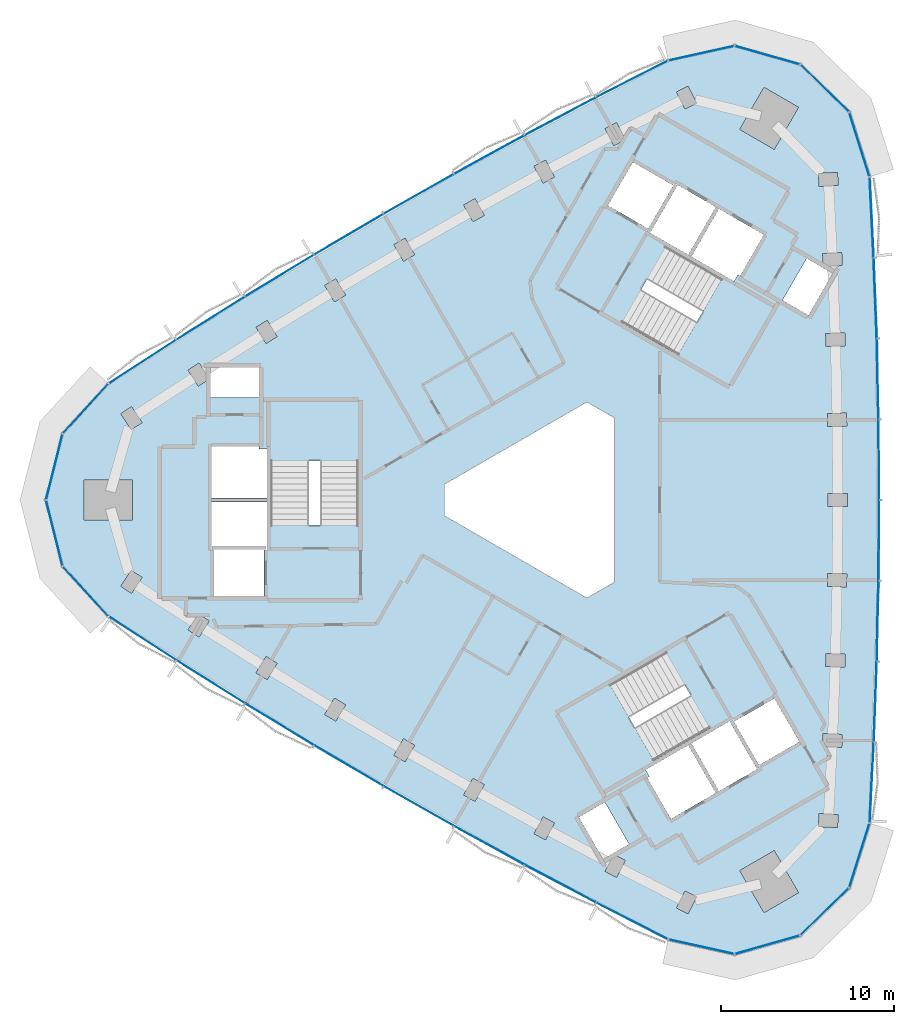
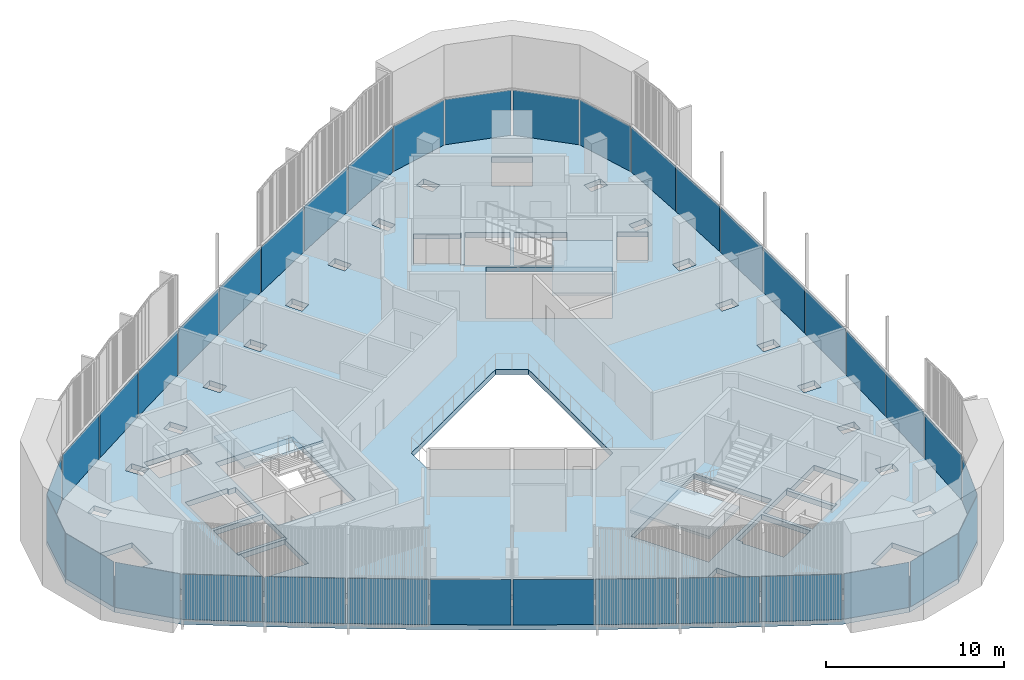
# One storey, part 7 of 16: 36 plates, 4 slabs, 6 elements without a shape of their own.
"""IFC4 building model written with IfcOpenShell, lengths in metres."""

from ifc_helpers import new_model, si_unit, direction, frame, origin, origin_2d, place, context, subcontext, project, spatial, polyline, rectangle, outline, extrude, material, layer, layer_set, type_object, element, aggregate, save


model = new_model("IFC4")

# Units and contexts
model_context = context("Model", 3, precision=1e-05, world=origin(), true_north=direction((0.0, 1.0)))
body_context = subcontext(model_context, "Body", "Model", "MODEL_VIEW")
ifc_project = project(units=[si_unit("LENGTHUNIT", "METRE"), si_unit("AREAUNIT", "SQUARE_METRE"), si_unit("VOLUMEUNIT", "CUBIC_METRE"), si_unit("PLANEANGLEUNIT", "RADIAN"), si_unit("MASSUNIT", "GRAM", prefix="KILO")], contexts=[model_context])

# Site, building, storey
site_placement = place(None, origin())
site = spatial("IfcSite", under=ifc_project, at=site_placement, CompositionType="ELEMENT")
building_placement = place(site_placement, origin())
building = spatial("IfcBuilding", under=site, at=building_placement, Name="Tamra Quay Hotel Tower", CompositionType="ELEMENT")
storey_placement = place(building_placement, frame((0.0, 0.0, 243.0)))
storey = spatial("IfcBuildingStorey", under=building, at=storey_placement, Name="L61", CompositionType="ELEMENT", Elevation=243.0)

# Stair, slab
ifc_material_1 = material(Name="Exit stair 2200 24 risers 150.0 going 342")
stair_type = type_object("IfcStairType", Name="Exit stair 2200 24 risers 150.0 going 342", PredefinedType="HALF_TURN_STAIR", material=ifc_material_1)
stair_1_placement = place(storey_placement, origin())
stair_1 = element("IfcStair", 1, at=stair_1_placement, inside=storey, type_object=stair_type, Name="L61 Exit stair ST3", PredefinedType="HALF_TURN_STAIR")
ifc_material_2 = material(Name="Concrete M70", Category="concrete")
ifc_layer_1 = layer(ifc_material_2, 0.175048828125)
ifc_layer_set_1 = layer_set([ifc_layer_1], Name="Concrete M70 stair landing 180")
slab_type_1 = type_object("IfcSlabType", Name="Concrete M70 stair landing 180", PredefinedType="LANDING", material=ifc_layer_set_1)
slab_1_placement = place(storey_placement, frame((0.0, 0.0, 1.625)))
slab_1 = element("IfcSlab", 2, at=slab_1_placement, type_object=slab_type_1, Name="ST3 landing 1", PredefinedType="LANDING", context=body_context, shape_type="SweptSolid", body=[
    extrude(outline(polyline([(-10.932373046875, 2.261962890625), (-10.932373046875, 5.679931640625), (-16.09130859375, 5.679931640625), (-16.09130859375, 2.261962890625), (-10.932373046875, 2.261962890625)])), origin(), (0.0, 0.0, 1.0), 0.175048828125),
])
aggregate(stair_1, [slab_1])

stair_2_placement = place(storey_placement, origin())
stair_2 = element("IfcStair", 3, at=stair_2_placement, inside=storey, type_object=stair_type, Name="L61 Exit stair ST1", PredefinedType="HALF_TURN_STAIR")
slab_2_placement = place(storey_placement, frame((0.0, 0.0, 1.625)))
slab_2 = element("IfcSlab", 4, at=slab_2_placement, type_object=slab_type_1, Name="ST1 landing 1", PredefinedType="LANDING", context=body_context, shape_type="SweptSolid", body=[
    extrude(outline(polyline([(7.425048828125, 8.336669921875), (10.385009765625, 6.627685546875), (12.964599609375, 11.095458984375), (10.00439453125, 12.804443359375), (7.425048828125, 8.336669921875)])), origin(), (0.0, 0.0, 1.0), 0.175048828125),
])
aggregate(stair_2, [slab_2])

stair_3_placement = place(storey_placement, origin())
stair_3 = element("IfcStair", 5, at=stair_3_placement, inside=storey, type_object=stair_type, Name="L61 Exit stair ST2", PredefinedType="HALF_TURN_STAIR")
slab_3_placement = place(storey_placement, frame((0.0, 0.0, 1.625)))
slab_3 = element("IfcSlab", 6, at=slab_3_placement, type_object=slab_type_1, Name="ST2 landing 1", PredefinedType="LANDING", context=body_context, shape_type="SweptSolid", body=[
    extrude(outline(polyline([(3.50732421875, -10.5986328125), (0.547119140625, -12.3076171875), (3.126708984375, -16.775390625), (6.086669921875, -15.06640625), (3.50732421875, -10.5986328125)])), origin(), (0.0, 0.0, 1.0), 0.175048828125),
])
aggregate(stair_3, [slab_3])

# Slab
ifc_material_3 = material(Name="Concrete M60", Category="concrete")
ifc_layer_2 = layer(ifc_material_3, 0.35009765625)
ifc_layer_set_2 = layer_set([ifc_layer_2], Name="FLOOR SLAB PT 350")
slab_type_2 = type_object("IfcSlabType", Name="FLOOR SLAB PT 350", PredefinedType="FLOOR", material=ifc_layer_set_2)
slab_4_placement = place(storey_placement, frame((0.0, 0.0, -0.35009765625)))
element("IfcSlab", 7, at=slab_4_placement, inside=storey, type_object=slab_type_2, Name="SLAB-L61", PredefinedType="FLOOR", context=body_context, shape_type="SweptSolid", body=[
    extrude(outline(polyline([(18.746826171875, 13.9765625), (18.918212890625, 9.31884765625), (19.020751953125, 4.66064453125), (19.05517578125, 0.0), (19.020751953125, -4.66064453125), (18.918212890625, -9.31884765625), (18.746826171875, -13.9765625), (18.50732421875, -18.63037109375), (17.323974609375, -22.38037109375), (14.503173828125, -25.1201171875), (10.719970703125, -26.193115234375), (6.880615234375, -25.343017578125), (2.730712890625, -23.223388671875), (-1.388671875, -21.04296875), (-5.47412109375, -18.802978515625), (-9.527587890625, -16.502197265625), (-13.546630859375, -14.14208984375), (-17.529296875, -11.72412109375), (-21.477294921875, -9.2470703125), (-25.387939453125, -6.712646484375), (-28.0439453125, -3.812744140625), (-29.006103515625, 0.0), (-28.0439453125, 3.812744140625), (-25.387939453125, 6.712646484375), (-21.477294921875, 9.2470703125), (-17.529296875, 11.72412109375), (-13.546630859375, 14.14208984375), (-9.527587890625, 16.502197265625), (-5.47412109375, 18.802978515625), (-1.388671875, 21.04296875), (2.730712890625, 23.223388671875), (6.880615234375, 25.343017578125), (10.719970703125, 26.193115234375), (14.503173828125, 25.1201171875), (17.323974609375, 22.38037109375), (18.50732421875, 18.63037109375), (18.746826171875, 13.9765625)]), holes=[polyline([(-8.9345703125, -14.724853515625), (-8.284912109375, -15.099853515625), (-7.73486328125, -14.147216796875), (-8.384521484375, -13.772216796875), (-8.9345703125, -14.724853515625)]), polyline([(-12.927001953125, -12.373779296875), (-12.283203125, -12.758544921875), (-11.718994140625, -11.814208984375), (-12.36279296875, -11.4296875), (-12.927001953125, -12.373779296875)]), polyline([(-16.885009765625, -9.964599609375), (-16.24658203125, -10.3583984375), (-15.669189453125, -9.422119140625), (-16.3076171875, -9.0283203125), (-16.885009765625, -9.964599609375)]), polyline([(-20.21533203125, -6.56982421875), (-20.806640625, -7.497314453125), (-20.17431640625, -7.900634765625), (-19.5830078125, -6.972900390625), (-20.21533203125, -6.56982421875)]), polyline([(-24.08740234375, -4.05419921875), (-24.69189453125, -4.972900390625), (-24.0654296875, -5.38525390625), (-23.460693359375, -4.46630859375), (-24.08740234375, -4.05419921875)]), polyline([(-19.4072265625, -2.85498046875), (-19.4072265625, -2.89306640625), (-19.307373046875, -2.89306640625), (-19.307373046875, -5.544921875), (-16.417236328125, -5.544921875), (-16.417236328125, -2.89306640625), (-16.3173828125, -2.89306640625), (-16.3173828125, -2.85498046875), (-19.4072265625, -2.85498046875)]), polyline([(-19.417236328125, -2.89306640625), (-19.417236328125, -2.64501953125), (-16.307373046875, -2.64501953125), (-16.307373046875, -2.89306640625), (-16.26708984375, -2.89306640625), (-16.26708984375, -0.10498046875), (-19.45751953125, -0.10498046875), (-19.45751953125, -2.89306640625), (-19.417236328125, -2.89306640625)]), polyline([(-24.0205078125, 1.14990234375), (-26.8203125, 1.14990234375), (-26.8203125, -1.14990234375), (-24.0205078125, -1.14990234375), (-24.0205078125, 1.14990234375)]), polyline([(-16.707275390625, 2.945068359375), (-16.707275390625, 3.09521484375), (-19.45751953125, 3.09521484375), (-19.45751953125, 0.10498046875), (-16.26708984375, 0.10498046875), (-16.26708984375, 2.945068359375), (-16.707275390625, 2.945068359375)]), polyline([(-16.036376953125, -1.455078125), (-10.9873046875, -1.455078125), (-10.9873046875, 5.625), (-16.036376953125, 5.625), (-16.036376953125, -1.455078125)]), polyline([(-23.460693359375, 4.46630859375), (-24.0654296875, 5.38525390625), (-24.69189453125, 4.972900390625), (-24.08740234375, 4.05419921875), (-23.460693359375, 4.46630859375)]), polyline([(-19.50732421875, 7.64501953125), (-19.50732421875, 5.9150390625), (-16.71728515625, 5.9150390625), (-16.71728515625, 7.64501953125), (-19.50732421875, 7.64501953125)]), polyline([(-19.5830078125, 6.972900390625), (-20.17431640625, 7.900634765625), (-20.806640625, 7.497314453125), (-20.21533203125, 6.56982421875), (-19.5830078125, 6.972900390625)]), polyline([(-15.669189453125, 9.422119140625), (-16.24658203125, 10.3583984375), (-16.885009765625, 9.964599609375), (-16.3076171875, 9.0283203125), (-15.669189453125, 9.422119140625)]), polyline([(-12.283203125, 12.758544921875), (-12.927001953125, 12.373779296875), (-12.36279296875, 11.4296875), (-11.718994140625, 11.814208984375), (-12.283203125, 12.758544921875)]), polyline([(-7.73486328125, 14.147216796875), (-8.284912109375, 15.099853515625), (-8.9345703125, 14.724853515625), (-8.384521484375, 13.772216796875), (-7.73486328125, 14.147216796875)]), polyline([(7.8623046875, -22.55078125), (7.368896484375, -23.533935546875), (8.039306640625, -23.870361328125), (8.53271484375, -22.88720703125), (7.8623046875, -22.55078125)]), polyline([(3.2451171875, -21.421875), (3.910400390625, -21.767822265625), (4.41796875, -20.7919921875), (3.752685546875, -20.44580078125), (3.2451171875, -21.421875)]), polyline([(1.73779296875, -18.300048828125), (3.1328125, -20.71630859375), (4.631103515625, -19.851318359375), (3.236083984375, -17.43505859375), (1.73779296875, -18.300048828125)]), polyline([(-0.3251953125, -18.281005859375), (-0.847412109375, -19.2490234375), (-0.187255859375, -19.60498046875), (0.334716796875, -18.636962890625), (-0.3251953125, -18.281005859375)]), polyline([(-4.90771484375, -17.016845703125), (-4.252685546875, -17.382080078125), (-3.716796875, -16.42138671875), (-4.3720703125, -16.05615234375), (-4.90771484375, -17.016845703125)]), polyline([(5.5830078125, -15.560302734375), (5.80322265625, -15.94140625), (5.673095703125, -16.0166015625), (7.04833984375, -18.398193359375), (9.6376953125, -16.903076171875), (8.042724609375, -14.14013671875), (5.5830078125, -15.560302734375)]), polyline([(12.214111328125, -15.369384765625), (11.999267578125, -15.493408203125), (10.4443359375, -12.800048828125), (10.6591796875, -12.676025390625), (10.63916015625, -12.64111328125), (8.224609375, -14.03515625), (9.819580078125, -16.798095703125), (12.234130859375, -15.404052734375), (12.214111328125, -15.369384765625)]), polyline([(6.75390625, -8.78759765625), (0.622314453125, -12.32763671875), (3.146728515625, -16.7001953125), (9.2783203125, -13.160400390625), (6.75390625, -8.78759765625)]), polyline([(-6.0, 0.923828125), (-6.0, -0.923828125), (2.199951171875, -5.657958984375), (3.800048828125, -4.734375), (3.800048828125, 4.734375), (2.199951171875, 5.657958984375), (-6.0, 0.923828125)]), polyline([(4.2333984375, 10.242919921875), (10.364990234375, 6.702880859375), (12.889404296875, 11.075439453125), (6.758056640625, 14.615478515625), (4.2333984375, 10.242919921875)]), polyline([(7.203125, 18.262451171875), (7.41796875, 18.138427734375), (5.863037109375, 15.445068359375), (5.648193359375, 15.569091796875), (5.628173828125, 15.5341796875), (8.04248046875, 14.140380859375), (9.6376953125, 16.903076171875), (7.22314453125, 18.297119140625), (7.203125, 18.262451171875)]), polyline([(-3.716796875, 16.42138671875), (-4.252685546875, 17.382080078125), (-4.90771484375, 17.016845703125), (-4.3720703125, 16.05615234375), (-3.716796875, 16.42138671875)]), polyline([(7.231201171875, 18.234619140625), (7.1982421875, 18.253662109375), (7.148193359375, 18.1669921875), (4.8515625, 19.4931640625), (3.406494140625, 16.990234375), (5.703125, 15.664306640625), (5.6533203125, 15.57763671875), (5.68603515625, 15.55859375), (7.231201171875, 18.234619140625)]), polyline([(0.334716796875, 18.636962890625), (-0.187255859375, 19.60498046875), (-0.847412109375, 19.2490234375), (-0.3251953125, 18.281005859375), (0.334716796875, 18.636962890625)]), polyline([(4.41796875, 20.7919921875), (3.910400390625, 21.767822265625), (3.2451171875, 21.421875), (3.752685546875, 20.44580078125), (4.41796875, 20.7919921875)]), polyline([(8.039306640625, 23.870361328125), (7.368896484375, 23.533935546875), (7.8623046875, 22.55078125), (8.53271484375, 22.88720703125), (8.039306640625, 23.870361328125)]), polyline([(11.014404296875, -21.377197265625), (12.414306640625, -23.802001953125), (14.406005859375, -22.652099609375), (13.006103515625, -20.227294921875), (11.014404296875, -21.377197265625)]), polyline([(15.554443359375, -18.8330078125), (16.652587890625, -18.8974609375), (16.696533203125, -18.148681640625), (15.598388671875, -18.08447265625), (15.554443359375, -18.8330078125)]), polyline([(16.896240234375, -14.2705078125), (16.92919921875, -13.52099609375), (15.830322265625, -13.472900390625), (15.79736328125, -14.22216796875), (16.896240234375, -14.2705078125)]), polyline([(10.631103515625, -12.70361328125), (12.176025390625, -15.379638671875), (12.208984375, -15.360595703125), (12.1591796875, -15.274169921875), (14.455810546875, -13.947998046875), (13.0107421875, -11.4453125), (10.714111328125, -12.771240234375), (10.6640625, -12.6845703125), (10.631103515625, -12.70361328125)]), polyline([(15.97265625, -9.6083984375), (17.072265625, -9.640380859375), (17.093994140625, -8.890625), (15.994384765625, -8.85888671875), (15.97265625, -9.6083984375)]), polyline([(17.1796875, -5.00830078125), (17.19091796875, -4.25830078125), (16.091064453125, -4.24169921875), (16.079833984375, -4.99169921875), (17.1796875, -5.00830078125)]), polyline([(16.119384765625, -0.375), (17.219482421875, -0.375), (17.219482421875, 0.375), (16.119384765625, 0.375), (16.119384765625, -0.375)]), polyline([(16.091064453125, 4.24169921875), (17.19091796875, 4.25830078125), (17.1796875, 5.00830078125), (16.079833984375, 4.99169921875), (16.091064453125, 4.24169921875)]), polyline([(17.093994140625, 8.890625), (17.072265625, 9.640380859375), (15.97265625, 9.6083984375), (15.994384765625, 8.85888671875), (17.093994140625, 8.890625)]), polyline([(14.9794921875, 10.655029296875), (16.37451171875, 13.0712890625), (14.876220703125, 13.936279296875), (13.481201171875, 11.52001953125), (14.9794921875, 10.655029296875)]), polyline([(15.830322265625, 13.472900390625), (16.92919921875, 13.52099609375), (16.896240234375, 14.2705078125), (15.79736328125, 14.22216796875), (15.830322265625, 13.472900390625)]), polyline([(10.904052734375, 12.996337890625), (11.0341796875, 12.92138671875), (12.4091796875, 15.302978515625), (9.819580078125, 16.798095703125), (8.224365234375, 14.035400390625), (10.68408203125, 12.615234375), (10.904052734375, 12.996337890625)]), polyline([(15.598388671875, 18.08447265625), (16.696533203125, 18.148681640625), (16.652587890625, 18.8974609375), (15.554443359375, 18.8330078125), (15.598388671875, 18.08447265625)]), polyline([(13.006103515625, 20.227294921875), (14.406005859375, 22.652099609375), (12.414306640625, 23.802001953125), (11.014404296875, 21.377197265625), (13.006103515625, 20.227294921875)])]), origin(), (0.0, 0.0, 1.0), 0.35009765625),
])

# Curtain wall, plates
ifc_material_4 = material(Name="Aluminium 6063 anodised dark grey", Category="aluminium")
curtain_wall_type_1 = type_object("IfcCurtainWallType", Name="CW1 CURTAIN WALL", PredefinedType="NOTDEFINED", material=ifc_material_4)
curtain_wall_1_placement = place(storey_placement, origin())
curtain_wall_1 = element("IfcCurtainWall", 8, at=curtain_wall_1_placement, inside=storey, type_object=curtain_wall_type_1, Name="CW1 east face L61", PredefinedType="NOTDEFINED")
ifc_material_5 = material(Name="Glass clear laminated low-iron", Category="glass")
ifc_layer_3 = layer(ifc_material_5, 0.028076171875)
ifc_layer_set_3 = layer_set([ifc_layer_3], Name="GLASS PANEL CW1 Z5")
plate_type_1 = type_object("IfcPlateType", Name="GLASS PANEL CW1 Z5", PredefinedType="CURTAIN_PANEL", material=ifc_layer_set_3)
plate_1_placement = place(storey_placement, frame((18.626953125, -16.303466796875, 0.0), z_axis=(0.0, 0.0, 1.0), x_axis=(0.05140283052, 0.998678000666, 0.0)))
plate_1 = element("IfcPlate", 9, at=plate_1_placement, type_object=plate_type_1, Name="CW1 glass L61.E.1", PredefinedType="CURTAIN_PANEL", context=body_context, shape_type="SweptSolid", body=[
    extrude(rectangle(XDim=4.56005859375, YDim=0.028076171875, at=origin_2d()), origin(), (0.0, 0.0, 1.0), 3.110107421875),
])
plate_2_placement = place(storey_placement, frame((18.83251953125, -11.647705078125, 0.0), z_axis=(0.0, 0.0, 1.0), x_axis=(0.036744002612, 0.999324711128, 0.0)))
plate_2 = element("IfcPlate", 10, at=plate_2_placement, type_object=plate_type_1, Name="CW1 glass L61.E.2", PredefinedType="CURTAIN_PANEL", context=body_context, shape_type="SweptSolid", body=[
    extrude(rectangle(XDim=4.560791015625, YDim=0.028076171875, at=origin_2d()), origin(), (0.0, 0.0, 1.0), 3.110107421875),
])
plate_3_placement = place(storey_placement, frame((18.969482421875, -6.98974609375, 0.0), z_axis=(0.0, 0.0, 1.0), x_axis=(0.022062714066, 0.999756588699, 0.0)))
plate_3 = element("IfcPlate", 11, at=plate_3_placement, type_object=plate_type_1, Name="CW1 glass L61.E.3", PredefinedType="CURTAIN_PANEL", context=body_context, shape_type="SweptSolid", body=[
    extrude(rectangle(XDim=4.559326171875, YDim=0.028076171875, at=origin_2d()), origin(), (0.0, 0.0, 1.0), 3.110107421875),
])
plate_4_placement = place(storey_placement, frame((19.0380859375, -2.330322265625, 0.0), z_axis=(0.0, 0.0, 1.0), x_axis=(0.007362119462, 0.999972899231, 0.0)))
plate_4 = element("IfcPlate", 12, at=plate_4_placement, type_object=plate_type_1, Name="CW1 glass L61.E.4", PredefinedType="CURTAIN_PANEL", context=body_context, shape_type="SweptSolid", body=[
    extrude(rectangle(XDim=4.560791015625, YDim=0.028076171875, at=origin_2d()), origin(), (0.0, 0.0, 1.0), 3.110107421875),
])
plate_5_placement = place(storey_placement, frame((19.0380859375, 2.330322265625, 0.0), z_axis=(0.0, 0.0, 1.0), x_axis=(-0.007362119462, 0.999972899231, 0.0)))
plate_5 = element("IfcPlate", 13, at=plate_5_placement, type_object=plate_type_1, Name="CW1 glass L61.E.5", PredefinedType="CURTAIN_PANEL", context=body_context, shape_type="SweptSolid", body=[
    extrude(rectangle(XDim=4.560791015625, YDim=0.028076171875, at=origin_2d()), origin(), (0.0, 0.0, 1.0), 3.110107421875),
])
plate_6_placement = place(storey_placement, frame((18.969482421875, 6.98974609375, 0.0), z_axis=(0.0, 0.0, 1.0), x_axis=(-0.022062714066, 0.999756588699, 0.0)))
plate_6 = element("IfcPlate", 14, at=plate_6_placement, type_object=plate_type_1, Name="CW1 glass L61.E.6", PredefinedType="CURTAIN_PANEL", context=body_context, shape_type="SweptSolid", body=[
    extrude(rectangle(XDim=4.559326171875, YDim=0.028076171875, at=origin_2d()), origin(), (0.0, 0.0, 1.0), 3.110107421875),
])
plate_7_placement = place(storey_placement, frame((18.83251953125, 11.647705078125, 0.0), z_axis=(0.0, 0.0, 1.0), x_axis=(-0.036744002612, 0.999324711128, 0.0)))
plate_7 = element("IfcPlate", 15, at=plate_7_placement, type_object=plate_type_1, Name="CW1 glass L61.E.7", PredefinedType="CURTAIN_PANEL", context=body_context, shape_type="SweptSolid", body=[
    extrude(rectangle(XDim=4.560791015625, YDim=0.028076171875, at=origin_2d()), origin(), (0.0, 0.0, 1.0), 3.110107421875),
])
plate_8_placement = place(storey_placement, frame((18.626953125, 16.303466796875, 0.0), z_axis=(0.0, 0.0, 1.0), x_axis=(-0.05140283052, 0.998678000666, 0.0)))
plate_8 = element("IfcPlate", 16, at=plate_8_placement, type_object=plate_type_1, Name="CW1 glass L61.E.8", PredefinedType="CURTAIN_PANEL", context=body_context, shape_type="SweptSolid", body=[
    extrude(rectangle(XDim=4.56005859375, YDim=0.028076171875, at=origin_2d()), origin(), (0.0, 0.0, 1.0), 3.110107421875),
])
plate_9_placement = place(storey_placement, frame((17.91552734375, 20.50537109375, 0.0), z_axis=(0.0, 0.0, 1.0), x_axis=(-0.30090299279, 0.95365475353, 0.0)))
plate_9 = element("IfcPlate", 17, at=plate_9_placement, type_object=plate_type_1, Name="CW1 glass L61.E.9", PredefinedType="CURTAIN_PANEL", context=body_context, shape_type="SweptSolid", body=[
    extrude(rectangle(XDim=3.832275390625, YDim=0.028076171875, at=origin_2d()), origin(), (0.0, 0.0, 1.0), 3.110107421875),
])
plate_10_placement = place(storey_placement, frame((15.91357421875, 23.750244140625, 0.0), z_axis=(0.0, 0.0, 1.0), x_axis=(-0.717364100925, 0.696698461821, 0.0)))
plate_10 = element("IfcPlate", 18, at=plate_10_placement, type_object=plate_type_1, Name="CW1 glass L61.E.10", PredefinedType="CURTAIN_PANEL", context=body_context, shape_type="SweptSolid", body=[
    extrude(rectangle(XDim=3.832275390625, YDim=0.028076171875, at=origin_2d()), origin(), (0.0, 0.0, 1.0), 3.110107421875),
])
plate_11_placement = place(storey_placement, frame((12.611572265625, 25.65673828125, 0.0), z_axis=(0.0, 0.0, 1.0), x_axis=(-0.962040617177, 0.272906304254, 0.0)))
plate_11 = element("IfcPlate", 19, at=plate_11_placement, type_object=plate_type_1, Name="CW1 glass L61.E.11", PredefinedType="CURTAIN_PANEL", context=body_context, shape_type="SweptSolid", body=[
    extrude(rectangle(XDim=3.832275390625, YDim=0.028076171875, at=origin_2d()), origin(), (0.0, 0.0, 1.0), 3.110107421875),
])
plate_12_placement = place(storey_placement, frame((8.80029296875, 25.76806640625, 0.0), z_axis=(0.0, 0.0, 1.0), x_axis=(-0.976340739392, -0.216237740934, 0.0)))
plate_12 = element("IfcPlate", 20, at=plate_12_placement, type_object=plate_type_1, Name="CW1 glass L61.E.12", PredefinedType="CURTAIN_PANEL", context=body_context, shape_type="SweptSolid", body=[
    extrude(rectangle(XDim=3.832275390625, YDim=0.028076171875, at=origin_2d()), origin(), (0.0, 0.0, 1.0), 3.110107421875),
])
aggregate(curtain_wall_1, [plate_1, plate_2, plate_3, plate_4, plate_5, plate_6, plate_7, plate_8, plate_9, plate_10, plate_11, plate_12])

curtain_wall_type_2 = type_object("IfcCurtainWallType", Name="CW2 CURTAIN WALL", PredefinedType="NOTDEFINED", material=ifc_material_4)
curtain_wall_2_placement = place(storey_placement, origin())
curtain_wall_2 = element("IfcCurtainWall", 21, at=curtain_wall_2_placement, inside=storey, type_object=curtain_wall_type_2, Name="CW2 north-west face L61", PredefinedType="NOTDEFINED")
ifc_layer_4 = layer(ifc_material_5, 0.028076171875)
ifc_layer_set_4 = layer_set([ifc_layer_4], Name="GLASS PANEL CW2 Z5")
plate_type_2 = type_object("IfcPlateType", Name="GLASS PANEL CW2 Z5", PredefinedType="CURTAIN_PANEL", material=ifc_layer_set_4)
plate_13_placement = place(storey_placement, frame((4.8056640625, 24.283203125, 0.0), z_axis=(0.0, 0.0, 1.0), x_axis=(-0.890581934038, -0.454822843276, 0.0)))
plate_13 = element("IfcPlate", 22, at=plate_13_placement, type_object=plate_type_2, Name="CW2 glass L61.NW.1", PredefinedType="CURTAIN_PANEL", context=body_context, shape_type="SweptSolid", body=[
    extrude(rectangle(XDim=4.56005859375, YDim=0.028076171875, at=origin_2d()), origin(), (0.0, 0.0, 1.0), 3.110107421875),
])
plate_14_placement = place(storey_placement, frame((0.6708984375, 22.13330078125, 0.0), z_axis=(0.0, 0.0, 1.0), x_axis=(-0.883812587773, -0.467841115866, 0.0)))
plate_14 = element("IfcPlate", 23, at=plate_14_placement, type_object=plate_type_2, Name="CW2 glass L61.NW.2", PredefinedType="CURTAIN_PANEL", context=body_context, shape_type="SweptSolid", body=[
    extrude(rectangle(XDim=4.560791015625, YDim=0.028076171875, at=origin_2d()), origin(), (0.0, 0.0, 1.0), 3.110107421875),
])
plate_15_placement = place(storey_placement, frame((-3.431396484375, 19.9228515625, 0.0), z_axis=(0.0, 0.0, 1.0), x_axis=(-0.876845960448, -0.480771423492, 0.0)))
plate_15 = element("IfcPlate", 24, at=plate_15_placement, type_object=plate_type_2, Name="CW2 glass L61.NW.3", PredefinedType="CURTAIN_PANEL", context=body_context, shape_type="SweptSolid", body=[
    extrude(rectangle(XDim=4.559326171875, YDim=0.028076171875, at=origin_2d()), origin(), (0.0, 0.0, 1.0), 3.110107421875),
])
plate_16_placement = place(storey_placement, frame((-7.500732421875, 17.652587890625, 0.0), z_axis=(0.0, 0.0, 1.0), x_axis=(-0.869682993561, -0.493610667136, 0.0)))
plate_16 = element("IfcPlate", 25, at=plate_16_placement, type_object=plate_type_2, Name="CW2 glass L61.NW.4", PredefinedType="CURTAIN_PANEL", context=body_context, shape_type="SweptSolid", body=[
    extrude(rectangle(XDim=4.560791015625, YDim=0.028076171875, at=origin_2d()), origin(), (0.0, 0.0, 1.0), 3.110107421875),
])
plate_17_placement = place(storey_placement, frame((-11.537109375, 15.322265625, 0.0), z_axis=(0.0, 0.0, 1.0), x_axis=(-0.862320874099, -0.506362232095, 0.0)))
plate_17 = element("IfcPlate", 26, at=plate_17_placement, type_object=plate_type_2, Name="CW2 glass L61.NW.5", PredefinedType="CURTAIN_PANEL", context=body_context, shape_type="SweptSolid", body=[
    extrude(rectangle(XDim=4.560791015625, YDim=0.028076171875, at=origin_2d()), origin(), (0.0, 0.0, 1.0), 3.110107421875),
])
plate_18_placement = place(storey_placement, frame((-15.5380859375, 12.93310546875, 0.0), z_axis=(0.0, 0.0, 1.0), x_axis=(-0.854783246382, -0.518985165207, 0.0)))
plate_18 = element("IfcPlate", 27, at=plate_18_placement, type_object=plate_type_2, Name="CW2 glass L61.NW.6", PredefinedType="CURTAIN_PANEL", context=body_context, shape_type="SweptSolid", body=[
    extrude(rectangle(XDim=4.559326171875, YDim=0.028076171875, at=origin_2d()), origin(), (0.0, 0.0, 1.0), 3.110107421875),
])
plate_19_placement = place(storey_placement, frame((-19.50341796875, 10.485595703125, 0.0), z_axis=(0.0, 0.0, 1.0), x_axis=(-0.847068585161, -0.531483595263, 0.0)))
plate_19 = element("IfcPlate", 28, at=plate_19_placement, type_object=plate_type_2, Name="CW2 glass L61.NW.7", PredefinedType="CURTAIN_PANEL", context=body_context, shape_type="SweptSolid", body=[
    extrude(rectangle(XDim=4.560791015625, YDim=0.028076171875, at=origin_2d()), origin(), (0.0, 0.0, 1.0), 3.110107421875),
])
plate_20_placement = place(storey_placement, frame((-23.4326171875, 7.979736328125, 0.0), z_axis=(0.0, 0.0, 1.0), x_axis=(-0.839179103518, -0.54385515739, 0.0)))
plate_20 = element("IfcPlate", 29, at=plate_20_placement, type_object=plate_type_2, Name="CW2 glass L61.NW.8", PredefinedType="CURTAIN_PANEL", context=body_context, shape_type="SweptSolid", body=[
    extrude(rectangle(XDim=4.56005859375, YDim=0.028076171875, at=origin_2d()), origin(), (0.0, 0.0, 1.0), 3.110107421875),
])
plate_21_placement = place(storey_placement, frame((-26.716064453125, 5.2626953125, 0.0), z_axis=(0.0, 0.0, 1.0), x_axis=(-0.675437746601, -0.737417012596, 0.0)))
plate_21 = element("IfcPlate", 30, at=plate_21_placement, type_object=plate_type_2, Name="CW2 glass L61.NW.9", PredefinedType="CURTAIN_PANEL", context=body_context, shape_type="SweptSolid", body=[
    extrude(rectangle(XDim=3.832275390625, YDim=0.028076171875, at=origin_2d()), origin(), (0.0, 0.0, 1.0), 3.110107421875),
])
plate_22_placement = place(storey_placement, frame((-28.525146484375, 1.906494140625, 0.0), z_axis=(0.0, 0.0, 1.0), x_axis=(-0.244676516252, -0.969604766075, 0.0)))
plate_22 = element("IfcPlate", 31, at=plate_22_placement, type_object=plate_type_2, Name="CW2 glass L61.NW.10", PredefinedType="CURTAIN_PANEL", context=body_context, shape_type="SweptSolid", body=[
    extrude(rectangle(XDim=3.832275390625, YDim=0.028076171875, at=origin_2d()), origin(), (0.0, 0.0, 1.0), 3.110107421875),
])
plate_23_placement = place(storey_placement, frame((-28.525146484375, -1.906494140625, 0.0), z_axis=(0.0, 0.0, 1.0), x_axis=(0.244676516252, -0.969604766075, 0.0)))
plate_23 = element("IfcPlate", 32, at=plate_23_placement, type_object=plate_type_2, Name="CW2 glass L61.NW.11", PredefinedType="CURTAIN_PANEL", context=body_context, shape_type="SweptSolid", body=[
    extrude(rectangle(XDim=3.832275390625, YDim=0.028076171875, at=origin_2d()), origin(), (0.0, 0.0, 1.0), 3.110107421875),
])
plate_24_placement = place(storey_placement, frame((-26.716064453125, -5.2626953125, 0.0), z_axis=(0.0, 0.0, 1.0), x_axis=(0.675437746601, -0.737417012596, 0.0)))
plate_24 = element("IfcPlate", 33, at=plate_24_placement, type_object=plate_type_2, Name="CW2 glass L61.NW.12", PredefinedType="CURTAIN_PANEL", context=body_context, shape_type="SweptSolid", body=[
    extrude(rectangle(XDim=3.832275390625, YDim=0.028076171875, at=origin_2d()), origin(), (0.0, 0.0, 1.0), 3.110107421875),
])
aggregate(curtain_wall_2, [plate_13, plate_14, plate_15, plate_16, plate_17, plate_18, plate_19, plate_20, plate_21, plate_22, plate_23, plate_24])

curtain_wall_type_3 = type_object("IfcCurtainWallType", Name="CW3 CURTAIN WALL", PredefinedType="NOTDEFINED", material=ifc_material_4)
curtain_wall_3_placement = place(storey_placement, origin())
curtain_wall_3 = element("IfcCurtainWall", 34, at=curtain_wall_3_placement, inside=storey, type_object=curtain_wall_type_3, Name="CW3 south-west face L61", PredefinedType="NOTDEFINED")
ifc_layer_5 = layer(ifc_material_5, 0.028076171875)
ifc_layer_set_5 = layer_set([ifc_layer_5], Name="GLASS PANEL CW3 Z5")
plate_type_3 = type_object("IfcPlateType", Name="GLASS PANEL CW3 Z5", PredefinedType="CURTAIN_PANEL", material=ifc_layer_set_5)
plate_25_placement = place(storey_placement, frame((-23.4326171875, -7.979736328125, 0.0), z_axis=(0.0, 0.0, 1.0), x_axis=(0.839179103518, -0.54385515739, 0.0)))
plate_25 = element("IfcPlate", 35, at=plate_25_placement, type_object=plate_type_3, Name="CW3 glass L61.SW.1", PredefinedType="CURTAIN_PANEL", context=body_context, shape_type="SweptSolid", body=[
    extrude(rectangle(XDim=4.56005859375, YDim=0.028076171875, at=origin_2d()), origin(), (0.0, 0.0, 1.0), 3.110107421875),
])
plate_26_placement = place(storey_placement, frame((-19.50341796875, -10.485595703125, 0.0), z_axis=(0.0, 0.0, 1.0), x_axis=(0.847068585161, -0.531483595263, 0.0)))
plate_26 = element("IfcPlate", 36, at=plate_26_placement, type_object=plate_type_3, Name="CW3 glass L61.SW.2", PredefinedType="CURTAIN_PANEL", context=body_context, shape_type="SweptSolid", body=[
    extrude(rectangle(XDim=4.560791015625, YDim=0.028076171875, at=origin_2d()), origin(), (0.0, 0.0, 1.0), 3.110107421875),
])
plate_27_placement = place(storey_placement, frame((-15.5380859375, -12.93310546875, 0.0), z_axis=(0.0, 0.0, 1.0), x_axis=(0.854783246382, -0.518985165207, 0.0)))
plate_27 = element("IfcPlate", 37, at=plate_27_placement, type_object=plate_type_3, Name="CW3 glass L61.SW.3", PredefinedType="CURTAIN_PANEL", context=body_context, shape_type="SweptSolid", body=[
    extrude(rectangle(XDim=4.559326171875, YDim=0.028076171875, at=origin_2d()), origin(), (0.0, 0.0, 1.0), 3.110107421875),
])
plate_28_placement = place(storey_placement, frame((-11.537109375, -15.322265625, 0.0), z_axis=(0.0, 0.0, 1.0), x_axis=(0.862320874099, -0.506362232095, 0.0)))
plate_28 = element("IfcPlate", 38, at=plate_28_placement, type_object=plate_type_3, Name="CW3 glass L61.SW.4", PredefinedType="CURTAIN_PANEL", context=body_context, shape_type="SweptSolid", body=[
    extrude(rectangle(XDim=4.560791015625, YDim=0.028076171875, at=origin_2d()), origin(), (0.0, 0.0, 1.0), 3.110107421875),
])
plate_29_placement = place(storey_placement, frame((-7.500732421875, -17.652587890625, 0.0), z_axis=(0.0, 0.0, 1.0), x_axis=(0.869682993561, -0.493610667136, 0.0)))
plate_29 = element("IfcPlate", 39, at=plate_29_placement, type_object=plate_type_3, Name="CW3 glass L61.SW.5", PredefinedType="CURTAIN_PANEL", context=body_context, shape_type="SweptSolid", body=[
    extrude(rectangle(XDim=4.560791015625, YDim=0.028076171875, at=origin_2d()), origin(), (0.0, 0.0, 1.0), 3.110107421875),
])
plate_30_placement = place(storey_placement, frame((-3.431396484375, -19.9228515625, 0.0), z_axis=(0.0, 0.0, 1.0), x_axis=(0.876845960448, -0.480771423492, 0.0)))
plate_30 = element("IfcPlate", 40, at=plate_30_placement, type_object=plate_type_3, Name="CW3 glass L61.SW.6", PredefinedType="CURTAIN_PANEL", context=body_context, shape_type="SweptSolid", body=[
    extrude(rectangle(XDim=4.559326171875, YDim=0.028076171875, at=origin_2d()), origin(), (0.0, 0.0, 1.0), 3.110107421875),
])
plate_31_placement = place(storey_placement, frame((0.6708984375, -22.13330078125, 0.0), z_axis=(0.0, 0.0, 1.0), x_axis=(0.883812587773, -0.467841115866, 0.0)))
plate_31 = element("IfcPlate", 41, at=plate_31_placement, type_object=plate_type_3, Name="CW3 glass L61.SW.7", PredefinedType="CURTAIN_PANEL", context=body_context, shape_type="SweptSolid", body=[
    extrude(rectangle(XDim=4.560791015625, YDim=0.028076171875, at=origin_2d()), origin(), (0.0, 0.0, 1.0), 3.110107421875),
])
plate_32_placement = place(storey_placement, frame((4.8056640625, -24.283203125, 0.0), z_axis=(0.0, 0.0, 1.0), x_axis=(0.890581934038, -0.454822843276, 0.0)))
plate_32 = element("IfcPlate", 42, at=plate_32_placement, type_object=plate_type_3, Name="CW3 glass L61.SW.8", PredefinedType="CURTAIN_PANEL", context=body_context, shape_type="SweptSolid", body=[
    extrude(rectangle(XDim=4.56005859375, YDim=0.028076171875, at=origin_2d()), origin(), (0.0, 0.0, 1.0), 3.110107421875),
])
plate_33_placement = place(storey_placement, frame((8.80029296875, -25.76806640625, 0.0), z_axis=(0.0, 0.0, 1.0), x_axis=(0.976340739392, -0.216237740934, 0.0)))
plate_33 = element("IfcPlate", 43, at=plate_33_placement, type_object=plate_type_3, Name="CW3 glass L61.SW.9", PredefinedType="CURTAIN_PANEL", context=body_context, shape_type="SweptSolid", body=[
    extrude(rectangle(XDim=3.832275390625, YDim=0.028076171875, at=origin_2d()), origin(), (0.0, 0.0, 1.0), 3.110107421875),
])
plate_34_placement = place(storey_placement, frame((12.611572265625, -25.65673828125, 0.0), z_axis=(0.0, 0.0, 1.0), x_axis=(0.962040617177, 0.272906304254, 0.0)))
plate_34 = element("IfcPlate", 44, at=plate_34_placement, type_object=plate_type_3, Name="CW3 glass L61.SW.10", PredefinedType="CURTAIN_PANEL", context=body_context, shape_type="SweptSolid", body=[
    extrude(rectangle(XDim=3.832275390625, YDim=0.028076171875, at=origin_2d()), origin(), (0.0, 0.0, 1.0), 3.110107421875),
])
plate_35_placement = place(storey_placement, frame((15.91357421875, -23.750244140625, 0.0), z_axis=(0.0, 0.0, 1.0), x_axis=(0.717364100925, 0.696698461821, 0.0)))
plate_35 = element("IfcPlate", 45, at=plate_35_placement, type_object=plate_type_3, Name="CW3 glass L61.SW.11", PredefinedType="CURTAIN_PANEL", context=body_context, shape_type="SweptSolid", body=[
    extrude(rectangle(XDim=3.832275390625, YDim=0.028076171875, at=origin_2d()), origin(), (0.0, 0.0, 1.0), 3.110107421875),
])
plate_36_placement = place(storey_placement, frame((17.91552734375, -20.50537109375, 0.0), z_axis=(0.0, 0.0, 1.0), x_axis=(0.30090299279, 0.95365475353, 0.0)))
plate_36 = element("IfcPlate", 46, at=plate_36_placement, type_object=plate_type_3, Name="CW3 glass L61.SW.12", PredefinedType="CURTAIN_PANEL", context=body_context, shape_type="SweptSolid", body=[
    extrude(rectangle(XDim=3.832275390625, YDim=0.028076171875, at=origin_2d()), origin(), (0.0, 0.0, 1.0), 3.110107421875),
])
aggregate(curtain_wall_3, [plate_25, plate_26, plate_27, plate_28, plate_29, plate_30, plate_31, plate_32, plate_33, plate_34, plate_35, plate_36])

save(model, "model.ifc")
